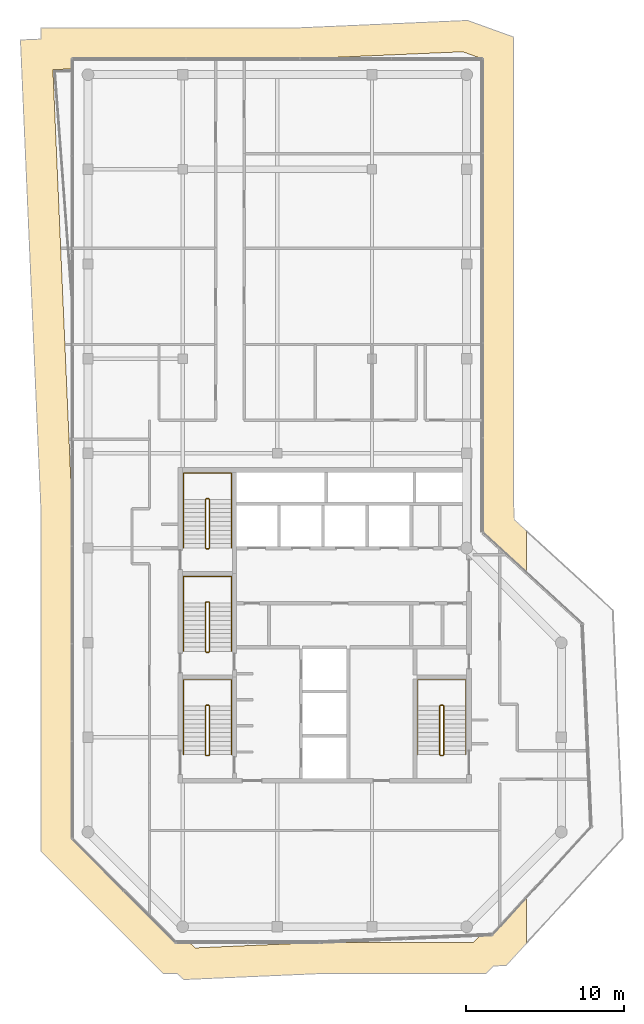
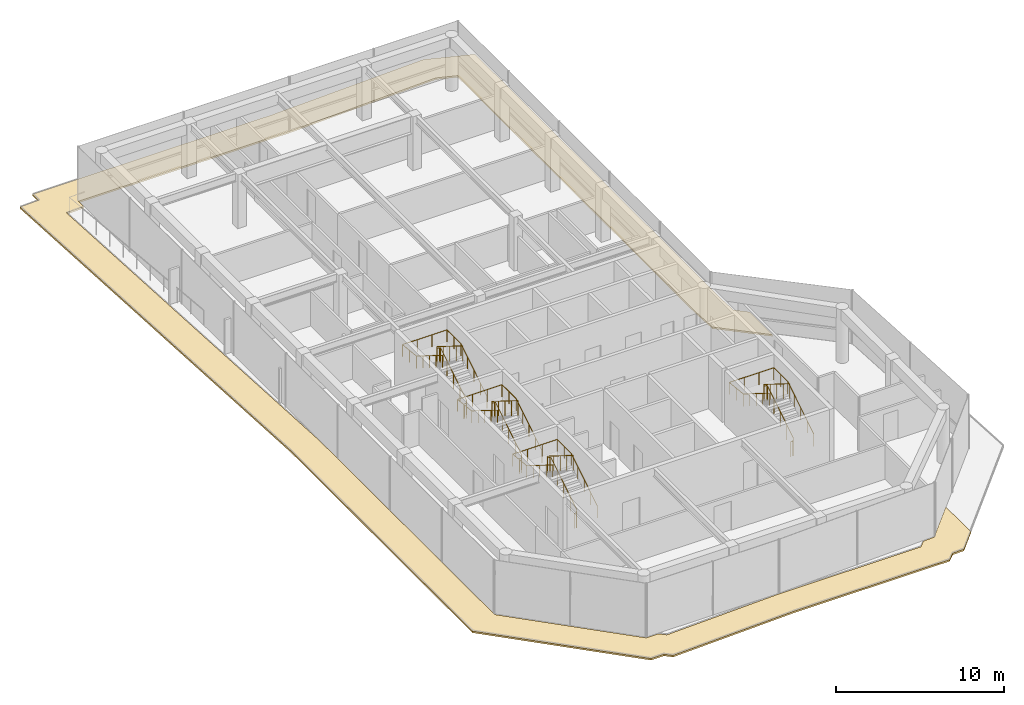
# One storey, part 18 of 19: 8 railings, 1 covering.
"""IFC4 building model written with IfcOpenShell, lengths in metres."""

from ifc_helpers import new_model, si_unit, direction, frame, origin, origin_2d, place, context, subcontext, project, spatial, polyline, circle, outline, extrude, material, layer, layer_set, type_object, element, save


model = new_model("IFC4")

# Units and contexts
model_context = context("Model", 3, precision=1e-05, world=origin(), true_north=direction((0.0, 1.0)))
body_context = subcontext(model_context, "Body", "Model", "MODEL_VIEW")
ifc_project = project(units=[si_unit("LENGTHUNIT", "METRE"), si_unit("AREAUNIT", "SQUARE_METRE"), si_unit("VOLUMEUNIT", "CUBIC_METRE"), si_unit("PLANEANGLEUNIT", "RADIAN"), si_unit("MASSUNIT", "GRAM", prefix="KILO")], contexts=[model_context])

# Site, building, storey
site_placement = place(None, origin())
site = spatial("IfcSite", under=ifc_project, at=site_placement, CompositionType="ELEMENT")
building_placement = place(site_placement, origin())
building = spatial("IfcBuilding", under=site, at=building_placement, Name="Welwitschia Terrace Campus", CompositionType="ELEMENT")
storey_placement = place(building_placement, frame((0.0, 0.0, 323.0)))
storey = spatial("IfcBuildingStorey", under=building, at=storey_placement, Name="L72", CompositionType="ELEMENT", Elevation=323.0)

# Railings
ifc_material_1 = material(Name="Steel S355", Category="steel")
railing_type_1 = type_object("IfcRailingType", Name="Stair guard 1100", PredefinedType="GUARDRAIL", material=ifc_material_1)
railing_1_placement = place(storey_placement, frame((7.5, 6.85009765625, 0.0)))
element("IfcRailing", 1, at=railing_1_placement, inside=storey, type_object=railing_type_1, Name="L72 S1 stair guard", PredefinedType="GUARDRAIL", context=body_context, shape_type="SweptSolid", body=[
    extrude(circle(Radius=0.02392578125, at=origin_2d()), frame((0.0, 0.0, 1.076171875), z_axis=(1.0, 0.0, 0.0), x_axis=(0.0, 1.0, 0.0)), (0.0, 0.0, 1.0), 0.14990234375),
    extrude(circle(Radius=0.02392578125, at=origin_2d()), frame((0.14990234375, 0.0, 1.076171875), z_axis=(0.265155923931, 0.263862480399, 0.927399011991), x_axis=(-0.705375805398, 0.708833529934, 0.0)), (0.0, 0.0, 1.0), 0.188720703125),
    extrude(circle(Radius=0.02392578125, at=origin_2d()), frame((0.199951171875, 0.0498046875, 1.2509765625), z_axis=(0.0, 0.847998304005, 0.529998940003), x_axis=(-1.0, 0.0, 0.0)), (0.0, 0.0, 1.0), 3.632080078125),
    extrude(circle(Radius=0.02392578125, at=origin_2d()), frame((0.199951171875, 3.1298828125, 3.17626953125), z_axis=(-0.707106781187, 0.707106781187, 0.0), x_axis=(-0.707106781187, -0.707106781187, 0.0)), (0.0, 0.0, 1.0), 0.07080078125),
    extrude(circle(Radius=0.02392578125, at=origin_2d()), frame((0.14990234375, 3.179931640625, 3.17626953125), z_axis=(-1.0, 0.0, 0.0), x_axis=(0.0, -1.0, 0.0)), (0.0, 0.0, 1.0), 0.14990234375),
    extrude(circle(Radius=0.02392578125, at=origin_2d()), frame((0.0, 3.179931640625, 3.17626953125), z_axis=(-0.265383341853, -0.265383341853, 0.926899867156), x_axis=(0.707106781187, -0.707106781187, 0.0)), (0.0, 0.0, 1.0), 0.1884765625),
    extrude(circle(Radius=0.02392578125, at=origin_2d()), frame((-0.050048828125, 3.1298828125, 3.35107421875), z_axis=(0.0, -0.847998304005, 0.529998940003), x_axis=(1.0, 0.0, 0.0)), (0.0, 0.0, 1.0), 3.632080078125),
    extrude(circle(Radius=0.02099609375, at=origin_2d()), origin(), (0.0, 0.0, 1.0), 1.052001953125),
    extrude(circle(Radius=0.02099609375, at=origin_2d()), frame((0.14990234375, 0.0, 0.0)), (0.0, 0.0, 1.0), 1.052001953125),
    extrude(circle(Radius=0.02099609375, at=origin_2d()), frame((0.199951171875, 0.0498046875, 0.175048828125)), (0.0, 0.0, 1.0), 1.052001953125),
    extrude(circle(Radius=0.02099609375, at=origin_2d()), frame((0.199951171875, 0.81982421875, 0.65625)), (0.0, 0.0, 1.0), 1.052001953125),
    extrude(circle(Radius=0.02099609375, at=origin_2d()), frame((0.199951171875, 1.58984375, 1.1376953125)), (0.0, 0.0, 1.0), 1.052001953125),
    extrude(circle(Radius=0.02099609375, at=origin_2d()), frame((0.199951171875, 2.35986328125, 1.618896484375)), (0.0, 0.0, 1.0), 1.052001953125),
    extrude(circle(Radius=0.02099609375, at=origin_2d()), frame((0.199951171875, 3.1298828125, 2.10009765625)), (0.0, 0.0, 1.0), 1.052001953125),
    extrude(circle(Radius=0.02099609375, at=origin_2d()), frame((0.14990234375, 3.179931640625, 2.10009765625)), (0.0, 0.0, 1.0), 1.052001953125),
    extrude(circle(Radius=0.02099609375, at=origin_2d()), frame((0.0, 3.179931640625, 2.10009765625)), (0.0, 0.0, 1.0), 1.052001953125),
    extrude(circle(Radius=0.02099609375, at=origin_2d()), frame((-0.050048828125, 3.1298828125, 2.27490234375)), (0.0, 0.0, 1.0), 1.052001953125),
    extrude(circle(Radius=0.02099609375, at=origin_2d()), frame((-0.050048828125, 2.35986328125, 2.756103515625)), (0.0, 0.0, 1.0), 1.052001953125),
    extrude(circle(Radius=0.02099609375, at=origin_2d()), frame((-0.050048828125, 1.58984375, 3.2373046875)), (0.0, 0.0, 1.0), 1.052001953125),
    extrude(circle(Radius=0.02099609375, at=origin_2d()), frame((-0.050048828125, 0.81982421875, 3.71875)), (0.0, 0.0, 1.0), 1.052001953125),
    extrude(circle(Radius=0.02099609375, at=origin_2d()), frame((-0.050048828125, 0.0498046875, 4.199951171875)), (0.0, 0.0, 1.0), 1.052001953125),
])
railing_2_placement = place(storey_placement, frame((7.5, 13.39990234375, 0.0)))
element("IfcRailing", 2, at=railing_2_placement, inside=storey, type_object=railing_type_1, Name="L72 S3 stair guard", PredefinedType="GUARDRAIL", context=body_context, shape_type="SweptSolid", body=[
    extrude(circle(Radius=0.02392578125, at=origin_2d()), frame((0.0, 0.0, 1.076171875), z_axis=(1.0, 0.0, 0.0), x_axis=(0.0, 1.0, 0.0)), (0.0, 0.0, 1.0), 0.14990234375),
    extrude(circle(Radius=0.02392578125, at=origin_2d()), frame((0.14990234375, 0.0, 1.076171875), z_axis=(0.265065253269, 0.265065253269, 0.927081885822), x_axis=(-0.707106781187, 0.707106781187, 0.0)), (0.0, 0.0, 1.0), 0.188720703125),
    extrude(circle(Radius=0.02392578125, at=origin_2d()), frame((0.199951171875, 0.050048828125, 1.2509765625), z_axis=(0.0, 0.847998304005, 0.529998940003), x_axis=(-1.0, 0.0, 0.0)), (0.0, 0.0, 1.0), 3.632080078125),
    extrude(circle(Radius=0.02392578125, at=origin_2d()), frame((0.199951171875, 3.130126953125, 3.17626953125), z_axis=(-0.707106781187, 0.707106781187, 0.0), x_axis=(-0.707106781187, -0.707106781187, 0.0)), (0.0, 0.0, 1.0), 0.07080078125),
    extrude(circle(Radius=0.02392578125, at=origin_2d()), frame((0.14990234375, 3.18017578125, 3.17626953125), z_axis=(-1.0, 0.0, 0.0), x_axis=(0.0, -1.0, 0.0)), (0.0, 0.0, 1.0), 0.14990234375),
    extrude(circle(Radius=0.02392578125, at=origin_2d()), frame((0.0, 3.18017578125, 3.17626953125), z_axis=(-0.265383341853, -0.265383341853, 0.926899867156), x_axis=(0.707106781187, -0.707106781187, 0.0)), (0.0, 0.0, 1.0), 0.1884765625),
    extrude(circle(Radius=0.02392578125, at=origin_2d()), frame((-0.050048828125, 3.130126953125, 3.35107421875), z_axis=(0.0, -0.847998304005, 0.529998940003), x_axis=(1.0, 0.0, 0.0)), (0.0, 0.0, 1.0), 3.632080078125),
    extrude(circle(Radius=0.02099609375, at=origin_2d()), origin(), (0.0, 0.0, 1.0), 1.052001953125),
    extrude(circle(Radius=0.02099609375, at=origin_2d()), frame((0.14990234375, 0.0, 0.0)), (0.0, 0.0, 1.0), 1.052001953125),
    extrude(circle(Radius=0.02099609375, at=origin_2d()), frame((0.199951171875, 0.050048828125, 0.175048828125)), (0.0, 0.0, 1.0), 1.052001953125),
    extrude(circle(Radius=0.02099609375, at=origin_2d()), frame((0.199951171875, 0.820068359375, 0.65625)), (0.0, 0.0, 1.0), 1.052001953125),
    extrude(circle(Radius=0.02099609375, at=origin_2d()), frame((0.199951171875, 1.590087890625, 1.1376953125)), (0.0, 0.0, 1.0), 1.052001953125),
    extrude(circle(Radius=0.02099609375, at=origin_2d()), frame((0.199951171875, 2.360107421875, 1.618896484375)), (0.0, 0.0, 1.0), 1.052001953125),
    extrude(circle(Radius=0.02099609375, at=origin_2d()), frame((0.199951171875, 3.130126953125, 2.10009765625)), (0.0, 0.0, 1.0), 1.052001953125),
    extrude(circle(Radius=0.02099609375, at=origin_2d()), frame((0.14990234375, 3.18017578125, 2.10009765625)), (0.0, 0.0, 1.0), 1.052001953125),
    extrude(circle(Radius=0.02099609375, at=origin_2d()), frame((0.0, 3.18017578125, 2.10009765625)), (0.0, 0.0, 1.0), 1.052001953125),
    extrude(circle(Radius=0.02099609375, at=origin_2d()), frame((-0.050048828125, 3.130126953125, 2.27490234375)), (0.0, 0.0, 1.0), 1.052001953125),
    extrude(circle(Radius=0.02099609375, at=origin_2d()), frame((-0.050048828125, 2.360107421875, 2.756103515625)), (0.0, 0.0, 1.0), 1.052001953125),
    extrude(circle(Radius=0.02099609375, at=origin_2d()), frame((-0.050048828125, 1.590087890625, 3.2373046875)), (0.0, 0.0, 1.0), 1.052001953125),
    extrude(circle(Radius=0.02099609375, at=origin_2d()), frame((-0.050048828125, 0.820068359375, 3.71875)), (0.0, 0.0, 1.0), 1.052001953125),
    extrude(circle(Radius=0.02099609375, at=origin_2d()), frame((-0.050048828125, 0.050048828125, 4.199951171875)), (0.0, 0.0, 1.0), 1.052001953125),
])
railing_3_placement = place(storey_placement, frame((7.5, 19.949951171875, 0.0)))
element("IfcRailing", 3, at=railing_3_placement, inside=storey, type_object=railing_type_1, Name="L72 S4 stair guard", PredefinedType="GUARDRAIL", context=body_context, shape_type="SweptSolid", body=[
    extrude(circle(Radius=0.02392578125, at=origin_2d()), frame((0.0, 0.0, 1.076171875), z_axis=(1.0, 0.0, 0.0), x_axis=(0.0, 1.0, 0.0)), (0.0, 0.0, 1.0), 0.14990234375),
    extrude(circle(Radius=0.02392578125, at=origin_2d()), frame((0.14990234375, 0.0, 1.076171875), z_axis=(0.265065253269, 0.265065253269, 0.927081885822), x_axis=(-0.707106781187, 0.707106781187, 0.0)), (0.0, 0.0, 1.0), 0.188720703125),
    extrude(circle(Radius=0.02392578125, at=origin_2d()), frame((0.199951171875, 0.050048828125, 1.2509765625), z_axis=(0.0, 0.847998304005, 0.529998940003), x_axis=(-1.0, 0.0, 0.0)), (0.0, 0.0, 1.0), 3.632080078125),
    extrude(circle(Radius=0.02392578125, at=origin_2d()), frame((0.199951171875, 3.130126953125, 3.17626953125), z_axis=(-0.708833529934, 0.705375805398, 0.0), x_axis=(-0.705375805398, -0.708833529934, 0.0)), (0.0, 0.0, 1.0), 0.070556640625),
    extrude(circle(Radius=0.02392578125, at=origin_2d()), frame((0.14990234375, 3.179931640625, 3.17626953125), z_axis=(-1.0, 0.0, 0.0), x_axis=(0.0, -1.0, 0.0)), (0.0, 0.0, 1.0), 0.14990234375),
    extrude(circle(Radius=0.02392578125, at=origin_2d()), frame((0.0, 3.179931640625, 3.17626953125), z_axis=(-0.265474339444, -0.264179342666, 0.927217692888), x_axis=(0.705375805398, -0.708833529934, 0.0)), (0.0, 0.0, 1.0), 0.1884765625),
    extrude(circle(Radius=0.02392578125, at=origin_2d()), frame((-0.050048828125, 3.130126953125, 3.35107421875), z_axis=(0.0, -0.847998304005, 0.529998940003), x_axis=(1.0, 0.0, 0.0)), (0.0, 0.0, 1.0), 3.632080078125),
    extrude(circle(Radius=0.02099609375, at=origin_2d()), origin(), (0.0, 0.0, 1.0), 1.052001953125),
    extrude(circle(Radius=0.02099609375, at=origin_2d()), frame((0.14990234375, 0.0, 0.0)), (0.0, 0.0, 1.0), 1.052001953125),
    extrude(circle(Radius=0.02099609375, at=origin_2d()), frame((0.199951171875, 0.050048828125, 0.175048828125)), (0.0, 0.0, 1.0), 1.052001953125),
    extrude(circle(Radius=0.02099609375, at=origin_2d()), frame((0.199951171875, 0.820068359375, 0.65625)), (0.0, 0.0, 1.0), 1.052001953125),
    extrude(circle(Radius=0.02099609375, at=origin_2d()), frame((0.199951171875, 1.590087890625, 1.1376953125)), (0.0, 0.0, 1.0), 1.052001953125),
    extrude(circle(Radius=0.02099609375, at=origin_2d()), frame((0.199951171875, 2.360107421875, 1.618896484375)), (0.0, 0.0, 1.0), 1.052001953125),
    extrude(circle(Radius=0.02099609375, at=origin_2d()), frame((0.199951171875, 3.130126953125, 2.10009765625)), (0.0, 0.0, 1.0), 1.052001953125),
    extrude(circle(Radius=0.02099609375, at=origin_2d()), frame((0.14990234375, 3.179931640625, 2.10009765625)), (0.0, 0.0, 1.0), 1.052001953125),
    extrude(circle(Radius=0.02099609375, at=origin_2d()), frame((0.0, 3.179931640625, 2.10009765625)), (0.0, 0.0, 1.0), 1.052001953125),
    extrude(circle(Radius=0.02099609375, at=origin_2d()), frame((-0.050048828125, 3.130126953125, 2.27490234375)), (0.0, 0.0, 1.0), 1.052001953125),
    extrude(circle(Radius=0.02099609375, at=origin_2d()), frame((-0.050048828125, 2.360107421875, 2.756103515625)), (0.0, 0.0, 1.0), 1.052001953125),
    extrude(circle(Radius=0.02099609375, at=origin_2d()), frame((-0.050048828125, 1.590087890625, 3.2373046875)), (0.0, 0.0, 1.0), 1.052001953125),
    extrude(circle(Radius=0.02099609375, at=origin_2d()), frame((-0.050048828125, 0.820068359375, 3.71875)), (0.0, 0.0, 1.0), 1.052001953125),
    extrude(circle(Radius=0.02099609375, at=origin_2d()), frame((-0.050048828125, 0.050048828125, 4.199951171875)), (0.0, 0.0, 1.0), 1.052001953125),
])
railing_4_placement = place(storey_placement, frame((22.35009765625, 6.85009765625, 0.0)))
element("IfcRailing", 4, at=railing_4_placement, inside=storey, type_object=railing_type_1, Name="L72 S2 stair guard", PredefinedType="GUARDRAIL", context=body_context, shape_type="SweptSolid", body=[
    extrude(circle(Radius=0.02392578125, at=origin_2d()), frame((0.0, 0.0, 1.076171875), z_axis=(1.0, 0.0, 0.0), x_axis=(0.0, 1.0, 0.0)), (0.0, 0.0, 1.0), 0.14990234375),
    extrude(circle(Radius=0.02392578125, at=origin_2d()), frame((0.14990234375, 0.0, 1.076171875), z_axis=(0.265155923931, 0.263862480399, 0.927399011991), x_axis=(-0.705375805398, 0.708833529934, 0.0)), (0.0, 0.0, 1.0), 0.188720703125),
    extrude(circle(Radius=0.02392578125, at=origin_2d()), frame((0.199951171875, 0.0498046875, 1.2509765625), z_axis=(0.0, 0.847998304005, 0.529998940003), x_axis=(-1.0, 0.0, 0.0)), (0.0, 0.0, 1.0), 3.632080078125),
    extrude(circle(Radius=0.02392578125, at=origin_2d()), frame((0.199951171875, 3.1298828125, 3.17626953125), z_axis=(-0.707106781187, 0.707106781187, 0.0), x_axis=(-0.707106781187, -0.707106781187, 0.0)), (0.0, 0.0, 1.0), 0.07080078125),
    extrude(circle(Radius=0.02392578125, at=origin_2d()), frame((0.14990234375, 3.179931640625, 3.17626953125), z_axis=(-1.0, 0.0, 0.0), x_axis=(0.0, -1.0, 0.0)), (0.0, 0.0, 1.0), 0.14990234375),
    extrude(circle(Radius=0.02392578125, at=origin_2d()), frame((0.0, 3.179931640625, 3.17626953125), z_axis=(-0.265383341853, -0.265383341853, 0.926899867156), x_axis=(0.707106781187, -0.707106781187, 0.0)), (0.0, 0.0, 1.0), 0.1884765625),
    extrude(circle(Radius=0.02392578125, at=origin_2d()), frame((-0.050048828125, 3.1298828125, 3.35107421875), z_axis=(0.0, -0.847998304005, 0.529998940003), x_axis=(1.0, 0.0, 0.0)), (0.0, 0.0, 1.0), 3.632080078125),
    extrude(circle(Radius=0.02099609375, at=origin_2d()), origin(), (0.0, 0.0, 1.0), 1.052001953125),
    extrude(circle(Radius=0.02099609375, at=origin_2d()), frame((0.14990234375, 0.0, 0.0)), (0.0, 0.0, 1.0), 1.052001953125),
    extrude(circle(Radius=0.02099609375, at=origin_2d()), frame((0.199951171875, 0.0498046875, 0.175048828125)), (0.0, 0.0, 1.0), 1.052001953125),
    extrude(circle(Radius=0.02099609375, at=origin_2d()), frame((0.199951171875, 0.81982421875, 0.65625)), (0.0, 0.0, 1.0), 1.052001953125),
    extrude(circle(Radius=0.02099609375, at=origin_2d()), frame((0.199951171875, 1.58984375, 1.1376953125)), (0.0, 0.0, 1.0), 1.052001953125),
    extrude(circle(Radius=0.02099609375, at=origin_2d()), frame((0.199951171875, 2.35986328125, 1.618896484375)), (0.0, 0.0, 1.0), 1.052001953125),
    extrude(circle(Radius=0.02099609375, at=origin_2d()), frame((0.199951171875, 3.1298828125, 2.10009765625)), (0.0, 0.0, 1.0), 1.052001953125),
    extrude(circle(Radius=0.02099609375, at=origin_2d()), frame((0.14990234375, 3.179931640625, 2.10009765625)), (0.0, 0.0, 1.0), 1.052001953125),
    extrude(circle(Radius=0.02099609375, at=origin_2d()), frame((0.0, 3.179931640625, 2.10009765625)), (0.0, 0.0, 1.0), 1.052001953125),
    extrude(circle(Radius=0.02099609375, at=origin_2d()), frame((-0.050048828125, 3.1298828125, 2.27490234375)), (0.0, 0.0, 1.0), 1.052001953125),
    extrude(circle(Radius=0.02099609375, at=origin_2d()), frame((-0.050048828125, 2.35986328125, 2.756103515625)), (0.0, 0.0, 1.0), 1.052001953125),
    extrude(circle(Radius=0.02099609375, at=origin_2d()), frame((-0.050048828125, 1.58984375, 3.2373046875)), (0.0, 0.0, 1.0), 1.052001953125),
    extrude(circle(Radius=0.02099609375, at=origin_2d()), frame((-0.050048828125, 0.81982421875, 3.71875)), (0.0, 0.0, 1.0), 1.052001953125),
    extrude(circle(Radius=0.02099609375, at=origin_2d()), frame((-0.050048828125, 0.0498046875, 4.199951171875)), (0.0, 0.0, 1.0), 1.052001953125),
])
ifc_material_2 = material(Name="Steel S355", Category="steel")
railing_type_2 = type_object("IfcRailingType", Name="Stair handrail 900", PredefinedType="HANDRAIL", material=ifc_material_2)
railing_5_placement = place(storey_placement, frame((9.10009765625, 6.89990234375, 0.175048828125)))
element("IfcRailing", 5, at=railing_5_placement, inside=storey, type_object=railing_type_2, Name="L72 S1 stair handrail", PredefinedType="HANDRAIL", context=body_context, shape_type="SweptSolid", body=[
    extrude(circle(Radius=0.02392578125, at=origin_2d()), frame((0.0, 0.0, 0.8759765625), z_axis=(0.0, 0.847998304005, 0.529998940003), x_axis=(-1.0, 0.0, 0.0)), (0.0, 0.0, 1.0), 3.632080078125),
    extrude(circle(Radius=0.02392578125, at=origin_2d()), frame((0.0, 3.080078125, 2.80078125), z_axis=(0.0, 1.0, 0.0), x_axis=(-1.0, 0.0, 0.0)), (0.0, 0.0, 1.0), 1.669921875),
    extrude(circle(Radius=0.02392578125, at=origin_2d()), frame((0.0, 4.75, 2.80078125), z_axis=(-1.0, 0.0, 0.0), x_axis=(0.0, -1.0, 0.0)), (0.0, 0.0, 1.0), 3.050048828125),
    extrude(circle(Radius=0.02392578125, at=origin_2d()), frame((-3.050048828125, 4.75, 2.80078125), z_axis=(0.0, -0.994565838508, 0.104109523446), x_axis=(1.0, 0.0, 0.0)), (0.0, 0.0, 1.0), 1.678955078125),
    extrude(circle(Radius=0.02392578125, at=origin_2d()), frame((-3.050048828125, 3.080078125, 2.9755859375), z_axis=(0.0, -0.847998304005, 0.529998940003), x_axis=(1.0, 0.0, 0.0)), (0.0, 0.0, 1.0), 3.632080078125),
    extrude(circle(Radius=0.02099609375, at=origin_2d()), origin(), (0.0, 0.0, 1.0), 0.851806640625),
    extrude(circle(Radius=0.02099609375, at=origin_2d()), frame((0.0, 0.77001953125, 0.481201171875)), (0.0, 0.0, 1.0), 0.851806640625),
    extrude(circle(Radius=0.02099609375, at=origin_2d()), frame((0.0, 1.5400390625, 0.96240234375)), (0.0, 0.0, 1.0), 0.851806640625),
    extrude(circle(Radius=0.02099609375, at=origin_2d()), frame((0.0, 2.31005859375, 1.44384765625)), (0.0, 0.0, 1.0), 0.851806640625),
    extrude(circle(Radius=0.02099609375, at=origin_2d()), frame((0.0, 3.080078125, 1.925048828125)), (0.0, 0.0, 1.0), 0.851806640625),
    extrude(circle(Radius=0.02099609375, at=origin_2d()), frame((0.0, 3.9150390625, 1.925048828125)), (0.0, 0.0, 1.0), 0.851806640625),
    extrude(circle(Radius=0.02099609375, at=origin_2d()), frame((0.0, 4.75, 1.925048828125)), (0.0, 0.0, 1.0), 0.851806640625),
    extrude(circle(Radius=0.02099609375, at=origin_2d()), frame((-1.0166015625, 4.75, 1.925048828125)), (0.0, 0.0, 1.0), 0.851806640625),
    extrude(circle(Radius=0.02099609375, at=origin_2d()), frame((-2.033447265625, 4.75, 1.925048828125)), (0.0, 0.0, 1.0), 0.851806640625),
    extrude(circle(Radius=0.02099609375, at=origin_2d()), frame((-3.050048828125, 4.75, 1.925048828125)), (0.0, 0.0, 1.0), 0.851806640625),
    extrude(circle(Radius=0.02099609375, at=origin_2d()), frame((-3.050048828125, 3.9150390625, 2.012451171875)), (0.0, 0.0, 1.0), 0.851806640625),
    extrude(circle(Radius=0.02099609375, at=origin_2d()), frame((-3.050048828125, 3.080078125, 2.099853515625)), (0.0, 0.0, 1.0), 0.851806640625),
    extrude(circle(Radius=0.02099609375, at=origin_2d()), frame((-3.050048828125, 2.31005859375, 2.5810546875)), (0.0, 0.0, 1.0), 0.851806640625),
    extrude(circle(Radius=0.02099609375, at=origin_2d()), frame((-3.050048828125, 1.5400390625, 3.0625)), (0.0, 0.0, 1.0), 0.851806640625),
    extrude(circle(Radius=0.02099609375, at=origin_2d()), frame((-3.050048828125, 0.77001953125, 3.543701171875)), (0.0, 0.0, 1.0), 0.851806640625),
    extrude(circle(Radius=0.02099609375, at=origin_2d()), frame((-3.050048828125, 0.0, 4.02490234375)), (0.0, 0.0, 1.0), 0.851806640625),
])
railing_6_placement = place(storey_placement, frame((9.10009765625, 13.449951171875, 0.175048828125)))
element("IfcRailing", 6, at=railing_6_placement, inside=storey, type_object=railing_type_2, Name="L72 S3 stair handrail", PredefinedType="HANDRAIL", context=body_context, shape_type="SweptSolid", body=[
    extrude(circle(Radius=0.02392578125, at=origin_2d()), frame((0.0, 0.0, 0.8759765625), z_axis=(0.0, 0.847998304005, 0.529998940003), x_axis=(-1.0, 0.0, 0.0)), (0.0, 0.0, 1.0), 3.632080078125),
    extrude(circle(Radius=0.02392578125, at=origin_2d()), frame((0.0, 3.080078125, 2.80078125), z_axis=(0.0, 1.0, 0.0), x_axis=(-1.0, 0.0, 0.0)), (0.0, 0.0, 1.0), 1.669921875),
    extrude(circle(Radius=0.02392578125, at=origin_2d()), frame((0.0, 4.75, 2.80078125), z_axis=(-1.0, 0.0, 0.0), x_axis=(0.0, -1.0, 0.0)), (0.0, 0.0, 1.0), 3.050048828125),
    extrude(circle(Radius=0.02392578125, at=origin_2d()), frame((-3.050048828125, 4.75, 2.80078125), z_axis=(0.0, -0.994565838508, 0.104109523446), x_axis=(1.0, 0.0, 0.0)), (0.0, 0.0, 1.0), 1.678955078125),
    extrude(circle(Radius=0.02392578125, at=origin_2d()), frame((-3.050048828125, 3.080078125, 2.9755859375), z_axis=(0.0, -0.847998304005, 0.529998940003), x_axis=(1.0, 0.0, 0.0)), (0.0, 0.0, 1.0), 3.632080078125),
    extrude(circle(Radius=0.02099609375, at=origin_2d()), origin(), (0.0, 0.0, 1.0), 0.851806640625),
    extrude(circle(Radius=0.02099609375, at=origin_2d()), frame((0.0, 0.77001953125, 0.481201171875)), (0.0, 0.0, 1.0), 0.851806640625),
    extrude(circle(Radius=0.02099609375, at=origin_2d()), frame((0.0, 1.5400390625, 0.96240234375)), (0.0, 0.0, 1.0), 0.851806640625),
    extrude(circle(Radius=0.02099609375, at=origin_2d()), frame((0.0, 2.31005859375, 1.44384765625)), (0.0, 0.0, 1.0), 0.851806640625),
    extrude(circle(Radius=0.02099609375, at=origin_2d()), frame((0.0, 3.080078125, 1.925048828125)), (0.0, 0.0, 1.0), 0.851806640625),
    extrude(circle(Radius=0.02099609375, at=origin_2d()), frame((0.0, 3.9150390625, 1.925048828125)), (0.0, 0.0, 1.0), 0.851806640625),
    extrude(circle(Radius=0.02099609375, at=origin_2d()), frame((0.0, 4.75, 1.925048828125)), (0.0, 0.0, 1.0), 0.851806640625),
    extrude(circle(Radius=0.02099609375, at=origin_2d()), frame((-1.0166015625, 4.75, 1.925048828125)), (0.0, 0.0, 1.0), 0.851806640625),
    extrude(circle(Radius=0.02099609375, at=origin_2d()), frame((-2.033447265625, 4.75, 1.925048828125)), (0.0, 0.0, 1.0), 0.851806640625),
    extrude(circle(Radius=0.02099609375, at=origin_2d()), frame((-3.050048828125, 4.75, 1.925048828125)), (0.0, 0.0, 1.0), 0.851806640625),
    extrude(circle(Radius=0.02099609375, at=origin_2d()), frame((-3.050048828125, 3.9150390625, 2.012451171875)), (0.0, 0.0, 1.0), 0.851806640625),
    extrude(circle(Radius=0.02099609375, at=origin_2d()), frame((-3.050048828125, 3.080078125, 2.099853515625)), (0.0, 0.0, 1.0), 0.851806640625),
    extrude(circle(Radius=0.02099609375, at=origin_2d()), frame((-3.050048828125, 2.31005859375, 2.5810546875)), (0.0, 0.0, 1.0), 0.851806640625),
    extrude(circle(Radius=0.02099609375, at=origin_2d()), frame((-3.050048828125, 1.5400390625, 3.0625)), (0.0, 0.0, 1.0), 0.851806640625),
    extrude(circle(Radius=0.02099609375, at=origin_2d()), frame((-3.050048828125, 0.77001953125, 3.543701171875)), (0.0, 0.0, 1.0), 0.851806640625),
    extrude(circle(Radius=0.02099609375, at=origin_2d()), frame((-3.050048828125, 0.0, 4.02490234375)), (0.0, 0.0, 1.0), 0.851806640625),
])
railing_7_placement = place(storey_placement, frame((9.10009765625, 20.0, 0.175048828125)))
element("IfcRailing", 7, at=railing_7_placement, inside=storey, type_object=railing_type_2, Name="L72 S4 stair handrail", PredefinedType="HANDRAIL", context=body_context, shape_type="SweptSolid", body=[
    extrude(circle(Radius=0.02392578125, at=origin_2d()), frame((0.0, 0.0, 0.8759765625), z_axis=(0.0, 0.847998304005, 0.529998940003), x_axis=(-1.0, 0.0, 0.0)), (0.0, 0.0, 1.0), 3.632080078125),
    extrude(circle(Radius=0.02392578125, at=origin_2d()), frame((0.0, 3.080078125, 2.80078125), z_axis=(0.0, 1.0, 0.0), x_axis=(-1.0, 0.0, 0.0)), (0.0, 0.0, 1.0), 1.669921875),
    extrude(circle(Radius=0.02392578125, at=origin_2d()), frame((0.0, 4.75, 2.80078125), z_axis=(-1.0, 0.0, 0.0), x_axis=(0.0, -1.0, 0.0)), (0.0, 0.0, 1.0), 3.050048828125),
    extrude(circle(Radius=0.02392578125, at=origin_2d()), frame((-3.050048828125, 4.75, 2.80078125), z_axis=(0.0, -0.994565838508, 0.104109523446), x_axis=(1.0, 0.0, 0.0)), (0.0, 0.0, 1.0), 1.678955078125),
    extrude(circle(Radius=0.02392578125, at=origin_2d()), frame((-3.050048828125, 3.080078125, 2.9755859375), z_axis=(0.0, -0.847998304005, 0.529998940003), x_axis=(1.0, 0.0, 0.0)), (0.0, 0.0, 1.0), 3.632080078125),
    extrude(circle(Radius=0.02099609375, at=origin_2d()), origin(), (0.0, 0.0, 1.0), 0.851806640625),
    extrude(circle(Radius=0.02099609375, at=origin_2d()), frame((0.0, 0.77001953125, 0.481201171875)), (0.0, 0.0, 1.0), 0.851806640625),
    extrude(circle(Radius=0.02099609375, at=origin_2d()), frame((0.0, 1.5400390625, 0.96240234375)), (0.0, 0.0, 1.0), 0.851806640625),
    extrude(circle(Radius=0.02099609375, at=origin_2d()), frame((0.0, 2.31005859375, 1.44384765625)), (0.0, 0.0, 1.0), 0.851806640625),
    extrude(circle(Radius=0.02099609375, at=origin_2d()), frame((0.0, 3.080078125, 1.925048828125)), (0.0, 0.0, 1.0), 0.851806640625),
    extrude(circle(Radius=0.02099609375, at=origin_2d()), frame((0.0, 3.9150390625, 1.925048828125)), (0.0, 0.0, 1.0), 0.851806640625),
    extrude(circle(Radius=0.02099609375, at=origin_2d()), frame((0.0, 4.75, 1.925048828125)), (0.0, 0.0, 1.0), 0.851806640625),
    extrude(circle(Radius=0.02099609375, at=origin_2d()), frame((-1.0166015625, 4.75, 1.925048828125)), (0.0, 0.0, 1.0), 0.851806640625),
    extrude(circle(Radius=0.02099609375, at=origin_2d()), frame((-2.033447265625, 4.75, 1.925048828125)), (0.0, 0.0, 1.0), 0.851806640625),
    extrude(circle(Radius=0.02099609375, at=origin_2d()), frame((-3.050048828125, 4.75, 1.925048828125)), (0.0, 0.0, 1.0), 0.851806640625),
    extrude(circle(Radius=0.02099609375, at=origin_2d()), frame((-3.050048828125, 3.9150390625, 2.012451171875)), (0.0, 0.0, 1.0), 0.851806640625),
    extrude(circle(Radius=0.02099609375, at=origin_2d()), frame((-3.050048828125, 3.080078125, 2.099853515625)), (0.0, 0.0, 1.0), 0.851806640625),
    extrude(circle(Radius=0.02099609375, at=origin_2d()), frame((-3.050048828125, 2.31005859375, 2.5810546875)), (0.0, 0.0, 1.0), 0.851806640625),
    extrude(circle(Radius=0.02099609375, at=origin_2d()), frame((-3.050048828125, 1.5400390625, 3.0625)), (0.0, 0.0, 1.0), 0.851806640625),
    extrude(circle(Radius=0.02099609375, at=origin_2d()), frame((-3.050048828125, 0.77001953125, 3.543701171875)), (0.0, 0.0, 1.0), 0.851806640625),
    extrude(circle(Radius=0.02099609375, at=origin_2d()), frame((-3.050048828125, 0.0, 4.02490234375)), (0.0, 0.0, 1.0), 0.851806640625),
])
railing_8_placement = place(storey_placement, frame((23.949951171875, 6.89990234375, 0.175048828125)))
element("IfcRailing", 8, at=railing_8_placement, inside=storey, type_object=railing_type_2, Name="L72 S2 stair handrail", PredefinedType="HANDRAIL", context=body_context, shape_type="SweptSolid", body=[
    extrude(circle(Radius=0.02392578125, at=origin_2d()), frame((0.0, 0.0, 0.8759765625), z_axis=(0.0, 0.847998304005, 0.529998940003), x_axis=(-1.0, 0.0, 0.0)), (0.0, 0.0, 1.0), 3.632080078125),
    extrude(circle(Radius=0.02392578125, at=origin_2d()), frame((0.0, 3.080078125, 2.80078125), z_axis=(0.0, 1.0, 0.0), x_axis=(-1.0, 0.0, 0.0)), (0.0, 0.0, 1.0), 1.669921875),
    extrude(circle(Radius=0.02392578125, at=origin_2d()), frame((0.0, 4.75, 2.80078125), z_axis=(-1.0, 0.0, 0.0), x_axis=(0.0, -1.0, 0.0)), (0.0, 0.0, 1.0), 3.050048828125),
    extrude(circle(Radius=0.02392578125, at=origin_2d()), frame((-3.050048828125, 4.75, 2.80078125), z_axis=(0.0, -0.994565838508, 0.104109523446), x_axis=(1.0, 0.0, 0.0)), (0.0, 0.0, 1.0), 1.678955078125),
    extrude(circle(Radius=0.02392578125, at=origin_2d()), frame((-3.050048828125, 3.080078125, 2.9755859375), z_axis=(0.0, -0.847998304005, 0.529998940003), x_axis=(1.0, 0.0, 0.0)), (0.0, 0.0, 1.0), 3.632080078125),
    extrude(circle(Radius=0.02099609375, at=origin_2d()), origin(), (0.0, 0.0, 1.0), 0.851806640625),
    extrude(circle(Radius=0.02099609375, at=origin_2d()), frame((0.0, 0.77001953125, 0.481201171875)), (0.0, 0.0, 1.0), 0.851806640625),
    extrude(circle(Radius=0.02099609375, at=origin_2d()), frame((0.0, 1.5400390625, 0.96240234375)), (0.0, 0.0, 1.0), 0.851806640625),
    extrude(circle(Radius=0.02099609375, at=origin_2d()), frame((0.0, 2.31005859375, 1.44384765625)), (0.0, 0.0, 1.0), 0.851806640625),
    extrude(circle(Radius=0.02099609375, at=origin_2d()), frame((0.0, 3.080078125, 1.925048828125)), (0.0, 0.0, 1.0), 0.851806640625),
    extrude(circle(Radius=0.02099609375, at=origin_2d()), frame((0.0, 3.9150390625, 1.925048828125)), (0.0, 0.0, 1.0), 0.851806640625),
    extrude(circle(Radius=0.02099609375, at=origin_2d()), frame((0.0, 4.75, 1.925048828125)), (0.0, 0.0, 1.0), 0.851806640625),
    extrude(circle(Radius=0.02099609375, at=origin_2d()), frame((-1.0166015625, 4.75, 1.925048828125)), (0.0, 0.0, 1.0), 0.851806640625),
    extrude(circle(Radius=0.02099609375, at=origin_2d()), frame((-2.033447265625, 4.75, 1.925048828125)), (0.0, 0.0, 1.0), 0.851806640625),
    extrude(circle(Radius=0.02099609375, at=origin_2d()), frame((-3.050048828125, 4.75, 1.925048828125)), (0.0, 0.0, 1.0), 0.851806640625),
    extrude(circle(Radius=0.02099609375, at=origin_2d()), frame((-3.050048828125, 3.9150390625, 2.012451171875)), (0.0, 0.0, 1.0), 0.851806640625),
    extrude(circle(Radius=0.02099609375, at=origin_2d()), frame((-3.050048828125, 3.080078125, 2.099853515625)), (0.0, 0.0, 1.0), 0.851806640625),
    extrude(circle(Radius=0.02099609375, at=origin_2d()), frame((-3.050048828125, 2.31005859375, 2.5810546875)), (0.0, 0.0, 1.0), 0.851806640625),
    extrude(circle(Radius=0.02099609375, at=origin_2d()), frame((-3.050048828125, 1.5400390625, 3.0625)), (0.0, 0.0, 1.0), 0.851806640625),
    extrude(circle(Radius=0.02099609375, at=origin_2d()), frame((-3.050048828125, 0.77001953125, 3.543701171875)), (0.0, 0.0, 1.0), 0.851806640625),
    extrude(circle(Radius=0.02099609375, at=origin_2d()), frame((-3.050048828125, 0.0, 4.02490234375)), (0.0, 0.0, 1.0), 0.851806640625),
])

# Covering
ifc_material_3 = material(Name="Bronze anodised aluminium", Category="aluminium")
ifc_layer = layer(ifc_material_3, 0.1201171875)
ifc_layer_set = layer_set([ifc_layer], Name="Bronze anodised aluminium")
covering_type = type_object("IfcCoveringType", Name="Sunshade band 2000", PredefinedType="USERDEFINED", material=ifc_layer_set)
covering_placement = place(storey_placement, frame((0.0, 0.0, -0.199951171875)))
element("IfcCovering", 9, at=covering_placement, inside=storey, type_object=covering_type, Name="SUNSHADE L72.SW0", ObjectType="SUNSHADE", PredefinedType="USERDEFINED", context=body_context, shape_type="SweptSolid", body=[
    extrude(outline(polyline([(-3.0, 52.283935546875), (-3.0, 53.0), (13.399658203125, 53.0), (24.05908203125, 53.46533203125), (27.0, 52.40478515625), (27.0, 22.90673828125), (27.048095703125, 21.808349609375), (27.776611328125, 21.140625), (27.776611328125, 18.427978515625), (25.0859375, 20.893310546875), (25.0, 22.86328125), (25.0, 51.0), (23.751953125, 51.4501953125), (13.443115234375, 51.0), (-1.0, 51.0), (-1.0, 50.369384765625), (-2.223388671875, 50.31591796875), (-1.0, 22.2958984375), (-1.0, 1.585693359375), (5.585693359375, -5.0), (6.424072265625, -5.0), (6.798828125, -5.343505859375), (14.665283203125, -5.0), (24.414306640625, -5.0), (24.859375, -4.554931640625), (25.609375, -4.522216796875), (27.776611328125, -2.156982421875), (27.776611328125, -5.117431640625), (26.524169921875, -6.484130859375), (25.7236328125, -6.51904296875), (25.24267578125, -7.0), (14.708740234375, -7.0), (6.058349609375, -7.377685546875), (5.646240234375, -7.0), (4.75732421875, -7.0), (-3.0, 0.75732421875), (-3.0, 22.252197265625), (-4.30859375, 52.226806640625), (-3.0, 52.283935546875)])), origin(), (0.0, 0.0, 1.0), 0.119873046875),
])

save(model, "model.ifc")
